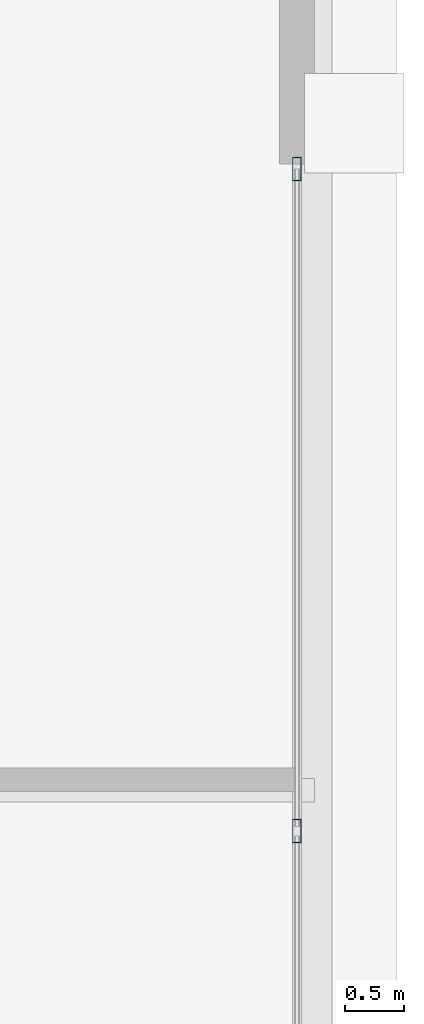
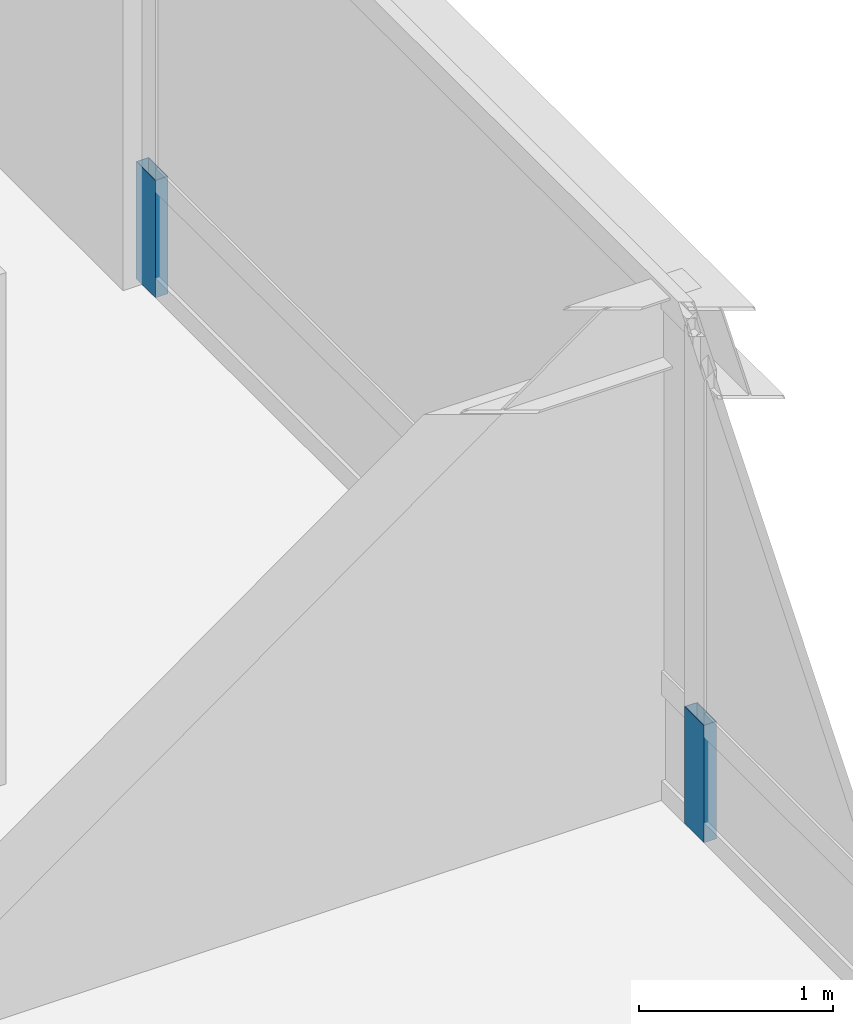
# One storey, part 26 of 35: 2 members, 1 element without a shape of its own.
"""IFC4 building model written with IfcOpenShell, lengths in metres."""

from ifc_helpers import new_model, si_unit, direction, frame, origin, origin_2d, place, context, subcontext, project, spatial, hollow_rectangle, extrude, source, transform, mapped, material, layer, layer_set, material_profile, profile_set, type_object, element, aggregate, save


model = new_model("IFC4")

# Units and contexts
model_context = context("Model", 3, precision=1e-05, world=origin(), true_north=direction((0.0, 1.0)))
body_context = subcontext(model_context, "Body", "Model", "MODEL_VIEW")
ifc_project = project(units=[si_unit("LENGTHUNIT", "METRE"), si_unit("AREAUNIT", "SQUARE_METRE"), si_unit("VOLUMEUNIT", "CUBIC_METRE"), si_unit("PLANEANGLEUNIT", "RADIAN"), si_unit("MASSUNIT", "GRAM", prefix="KILO"), si_unit("THERMODYNAMICTEMPERATUREUNIT", "KELVIN"), si_unit("POWERUNIT", "WATT")], contexts=[model_context])

# Site, building, storey
site_placement = place(None, origin())
site = spatial("IfcSite", under=ifc_project, at=site_placement, CompositionType="ELEMENT")
building_placement = place(site_placement, origin())
building = spatial("IfcBuilding", under=site, at=building_placement, Name="Yuzanri Waterfront Tower", CompositionType="ELEMENT")
storey_placement = place(building_placement, frame((0.0, 0.0, 303.10009765625)))
storey = spatial("IfcBuildingStorey", under=building, at=storey_placement, Name="L81", CompositionType="ELEMENT", Elevation=303.10009765625)

# Curtain wall, members
ifc_material_1 = material(Name="Anodized Architectural Bronze", Category="metal")
ifc_layer = layer(ifc_material_1, 0.159912109375)
ifc_layer_set = layer_set([ifc_layer], Name="Anodized Architectural Bronze")
curtain_wall_type = type_object("IfcCurtainWallType", Name="Anodized Bronze High-Rise Penthouse High-Wind Unitized Curtain Wall 6900", PredefinedType="NOTDEFINED", material=ifc_layer_set)
curtain_wall_placement = place(storey_placement, origin())
curtain_wall = element("IfcCurtainWall", 1, at=curtain_wall_placement, inside=storey, type_object=curtain_wall_type, Name="L81 Curtain Wall CW-L81-ER", PredefinedType="NOTDEFINED")
ifc_material_2 = material(Name="Anodized Architectural Bronze", Category="metal")
ifc_material_profile = material_profile(ifc_material_2, hollow_rectangle(XDim=0.074951171875, YDim=0.199951171875, WallThickness=0.00390625, at=origin_2d()), Name="CWM 75x200")
ifc_profile_set = profile_set([ifc_material_profile], Name="Anodized Architectural Bronze")
member_type = type_object("IfcMemberType", Name="Anodized Bronze Primary Curtain-Wall Mullion 75x200", PredefinedType="MULLION", material=ifc_profile_set)
shared_shape = source(origin(), body_context, "Body", "SweptSolid", [
    extrude(hollow_rectangle(XDim=0.074951171875, YDim=0.199951171875, WallThickness=0.00390625, at=origin_2d()), origin(), (0.0, 0.0, 1.0), 0.739013671875),
])
member_1_placement = place(storey_placement, frame((55.949951171875, 31.85009765625, 0.0), z_axis=(0.0, 0.0, 1.0), x_axis=(1.0, 0.0, 0.0)))
member_1 = element("IfcMember", 2, at=member_1_placement, type_object=member_type, Name="CW-L81-ER Lower Mullion 01", PredefinedType="MULLION", context=body_context, shape_type="MappedRepresentation", body=[
    mapped(shared_shape, transform((0.0, 0.0, 0.0), scale=1.0)),
])
member_2_placement = place(storey_placement, frame((55.949951171875, 37.510009765625, 0.0), z_axis=(0.0, 0.0, 1.0), x_axis=(1.0, 0.0, 0.0)))
member_2 = element("IfcMember", 3, at=member_2_placement, type_object=member_type, Name="CW-L81-ER Lower Mullion 02", PredefinedType="MULLION", context=body_context, shape_type="MappedRepresentation", body=[
    mapped(shared_shape, transform((0.0, 0.0, 0.0), scale=1.0)),
])
aggregate(curtain_wall, [member_1, member_2])

save(model, "model.ifc")
